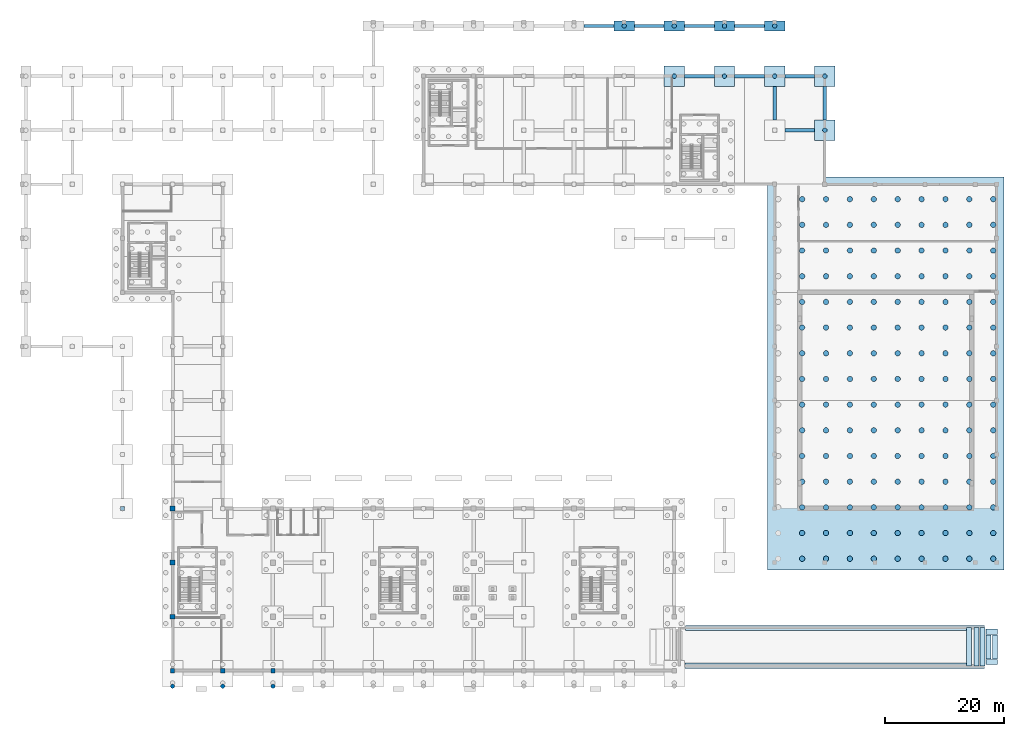
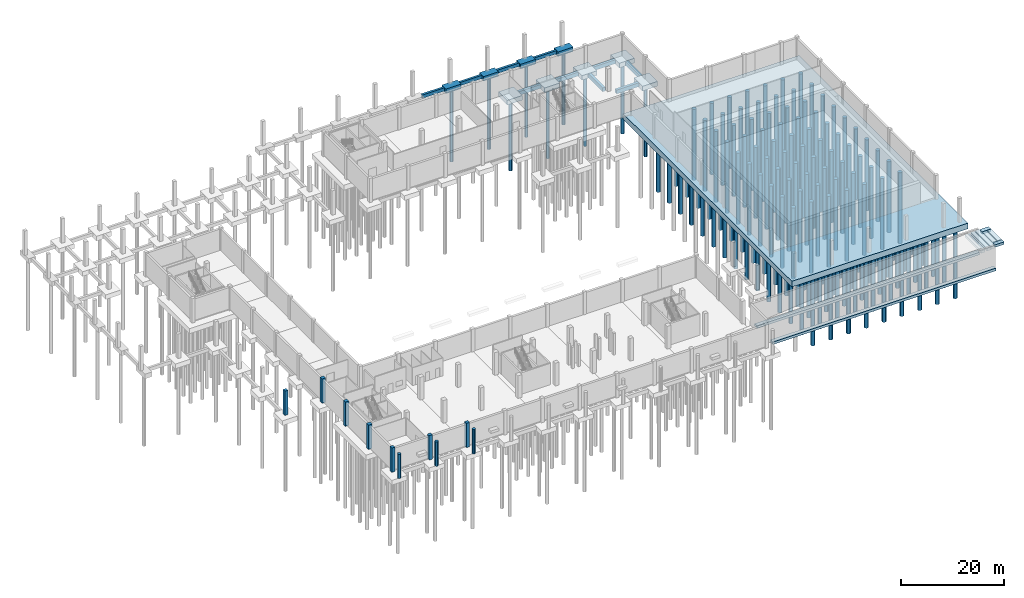
# One storey, part 4 of 18: 144 piles, 29 footings, 10 columns.
"""IFC4 building model written with IfcOpenShell, lengths in metres."""

from ifc_helpers import new_model, si_unit, direction, frame, origin, origin_2d, place, context, subcontext, project, spatial, rectangle, circle, extrude, material, layer, layer_set, material_profile, profile_set, type_object, element, save


model = new_model("IFC4")

# Units and contexts
model_context = context("Model", 3, precision=1e-05, world=origin(), true_north=direction((0.0, 1.0)))
body_context = subcontext(model_context, "Body", "Model", "MODEL_VIEW")
ifc_project = project(units=[si_unit("LENGTHUNIT", "METRE"), si_unit("AREAUNIT", "SQUARE_METRE"), si_unit("VOLUMEUNIT", "CUBIC_METRE"), si_unit("PLANEANGLEUNIT", "RADIAN"), si_unit("MASSUNIT", "GRAM", prefix="KILO")], contexts=[model_context])

# Site, building, storey
site_placement = place(None, origin())
site = spatial("IfcSite", under=ifc_project, at=site_placement, CompositionType="ELEMENT")
building_placement = place(site_placement, origin())
building = spatial("IfcBuilding", under=site, at=building_placement, Name="Khurvash Pelagic Aquarium", CompositionType="ELEMENT")
storey_placement = place(building_placement, frame((0.0, 0.0, -5.39990234375)))
storey = spatial("IfcBuildingStorey", under=building, at=storey_placement, Name="B1", CompositionType="ELEMENT", Elevation=-5.39990234375)

# Footings
ifc_material_1 = material(Name="Concrete C35/45", Category="concrete")
ifc_layer_1 = layer(ifc_material_1, 0.800048828125)
ifc_layer_set_1 = layer_set([ifc_layer_1], Name="Concrete C35/45")
footing_type_1 = type_object("IfcFootingType", Name="GB-01", PredefinedType="FOOTING_BEAM", material=ifc_layer_set_1)
for number, where, z_axis, x_axis, name in (
    (1, (96.60009765625, 110.550048828125, -1.2001953125), (0.0, 0.0, 1.0), (1.0, 0.0, 0.0), "Reinforced Concrete Ground Tie Beam GB-01 098"),
    (2, (105.0, 110.550048828125, -1.2001953125), (0.0, 0.0, 1.0), (1.0, 0.0, 0.0), "Reinforced Concrete Ground Tie Beam GB-01 099"),
    (3, (113.39990234375, 110.550048828125, -1.2001953125), (0.0, 0.0, 1.0), (1.0, 0.0, 0.0), "Reinforced Concrete Ground Tie Beam GB-01 100"),
    (4, (121.800048828125, 110.550048828125, -1.2001953125), (0.0, 0.0, 1.0), (1.0, 0.0, 0.0), "Reinforced Concrete Ground Tie Beam GB-01 101"),
):
    element("IfcFooting", number, at=place(storey_placement, frame(where, z_axis=z_axis, x_axis=x_axis)), inside=storey, type_object=footing_type_1, Name=name, PredefinedType="FOOTING_BEAM", context=body_context, shape_type="SweptSolid", body=[
        extrude(rectangle(XDim=4.99609375, YDim=0.5, at=origin_2d()), origin(), (0.0, 0.0, 1.0), 0.800048828125),
    ])
ifc_layer_2 = layer(ifc_material_1, 0.89990234375)
ifc_layer_set_2 = layer_set([ifc_layer_2], Name="Concrete C35/45")
footing_type_2 = type_object("IfcFootingType", Name="GB-02", PredefinedType="FOOTING_BEAM", material=ifc_layer_set_2)
for number, where, z_axis, x_axis, name in (
    (5, (130.199951171875, 93.10009765625, -1.300048828125), (0.0, 0.0, 1.0), (1.0, 0.0, 0.0), "Reinforced Concrete Ground Tie Beam GB-02 036"),
    (6, (113.39990234375, 102.14990234375, -1.300048828125), (0.0, 0.0, 1.0), (1.0, 0.0, 0.0), "Reinforced Concrete Ground Tie Beam GB-02 040"),
    (7, (121.800048828125, 102.14990234375, -1.300048828125), (0.0, 0.0, 1.0), (1.0, 0.0, 0.0), "Reinforced Concrete Ground Tie Beam GB-02 041"),
    (8, (130.199951171875, 102.14990234375, -1.300048828125), (0.0, 0.0, 1.0), (1.0, 0.0, 0.0), "Reinforced Concrete Ground Tie Beam GB-02 042"),
):
    element("IfcFooting", number, at=place(storey_placement, frame(where, z_axis=z_axis, x_axis=x_axis)), inside=storey, type_object=footing_type_2, Name=name, PredefinedType="FOOTING_BEAM", context=body_context, shape_type="SweptSolid", body=[
        extrude(rectangle(XDim=4.99609375, YDim=0.60009765625, at=origin_2d()), origin(), (0.0, 0.0, 1.0), 0.89990234375),
    ])
for number, where, z_axis, x_axis, name in (
    (9, (126.0, 97.625, -1.300048828125), (0.0, 0.0, 1.0), (0.0, 1.0, 0.0), "Reinforced Concrete Ground Tie Beam GB-02 073"),
    (10, (134.39990234375, 97.625, -1.300048828125), (0.0, 0.0, 1.0), (0.0, 1.0, 0.0), "Reinforced Concrete Ground Tie Beam GB-02 074"),
):
    element("IfcFooting", number, at=place(storey_placement, frame(where, z_axis=z_axis, x_axis=x_axis)), inside=storey, type_object=footing_type_2, Name=name, PredefinedType="FOOTING_BEAM", context=body_context, shape_type="SweptSolid", body=[
        extrude(rectangle(XDim=5.64599609375, YDim=0.60009765625, at=origin_2d()), origin(), (0.0, 0.0, 1.0), 0.89990234375),
    ])

# Piles
ifc_material_profile_1 = material_profile(ifc_material_1, circle(Radius=0.375, at=origin_2d()), Name="PILE750")
ifc_profile_set_1 = profile_set([ifc_material_profile_1], Name="Concrete C35/45")
pile_type_1 = type_object("IfcPileType", Name="P-750", PredefinedType="BORED", material=ifc_profile_set_1)
for number, where, z_axis, x_axis, name in (
    (11, (109.199951171875, 102.14990234375, -1.400146484375), (0.0, 0.0, -1.0), (1.0, 0.0, 0.0), "Bored Pile P-750 0402"),
    (12, (117.60009765625, 102.14990234375, -1.400146484375), (0.0, 0.0, -1.0), (1.0, 0.0, 0.0), "Bored Pile P-750 0403"),
    (13, (126.0, 102.14990234375, -1.400146484375), (0.0, 0.0, -1.0), (1.0, 0.0, 0.0), "Bored Pile P-750 0405"),
    (14, (134.39990234375, 93.10009765625, -1.400146484375), (0.0, 0.0, -1.0), (1.0, 0.0, 0.0), "Bored Pile P-750 0406"),
    (15, (134.39990234375, 102.14990234375, -1.400146484375), (0.0, 0.0, -1.0), (1.0, 0.0, 0.0), "Bored Pile P-750 0407"),
    (16, (100.800048828125, 110.550048828125, -1.400146484375), (0.0, 0.0, -1.0), (1.0, 0.0, 0.0), "Bored Pile P-750 0441"),
    (17, (109.199951171875, 110.550048828125, -1.400146484375), (0.0, 0.0, -1.0), (1.0, 0.0, 0.0), "Bored Pile P-750 0443"),
    (18, (117.60009765625, 110.550048828125, -1.400146484375), (0.0, 0.0, -1.0), (1.0, 0.0, 0.0), "Bored Pile P-750 0447"),
    (19, (126.0, 110.550048828125, -1.400146484375), (0.0, 0.0, -1.0), (1.0, 0.0, 0.0), "Bored Pile P-750 0448"),
):
    element("IfcPile", number, at=place(storey_placement, frame(where, z_axis=z_axis, x_axis=x_axis)), inside=storey, type_object=pile_type_1, Name=name, PredefinedType="BORED", context=body_context, shape_type="SweptSolid", body=[
        extrude(circle(Radius=0.375, at=origin_2d()), origin(), (0.0, 0.0, 1.0), 17.199951171875),
    ])
ifc_material_profile_2 = material_profile(ifc_material_1, circle(Radius=0.449951171875, at=origin_2d()), Name="PILE900")
ifc_profile_set_2 = profile_set([ifc_material_profile_2], Name="Concrete C35/45")
pile_type_2 = type_object("IfcPileType", Name="P-900", PredefinedType="BORED", material=ifc_profile_set_2)
for number, where, z_axis, x_axis, name in (
    (20, (130.60009765625, 21.35009765625, -1.650146484375), (0.0, 0.0, -1.0), (1.0, 0.0, 0.0), "Bored Pile P-900 0016"),
    (21, (130.60009765625, 25.64990234375, -1.650146484375), (0.0, 0.0, -1.0), (1.0, 0.0, 0.0), "Bored Pile P-900 0017"),
    (22, (130.60009765625, 29.949951171875, -1.650146484375), (0.0, 0.0, -1.0), (1.0, 0.0, 0.0), "Bored Pile P-900 0018"),
    (23, (130.60009765625, 34.25, -1.650146484375), (0.0, 0.0, -1.0), (1.0, 0.0, 0.0), "Bored Pile P-900 0019"),
    (24, (130.60009765625, 38.550048828125, -1.650146484375), (0.0, 0.0, -1.0), (1.0, 0.0, 0.0), "Bored Pile P-900 0020"),
    (25, (130.60009765625, 42.85009765625, -1.650146484375), (0.0, 0.0, -1.0), (1.0, 0.0, 0.0), "Bored Pile P-900 0021"),
    (26, (130.60009765625, 47.14990234375, -1.650146484375), (0.0, 0.0, -1.0), (1.0, 0.0, 0.0), "Bored Pile P-900 0022"),
    (27, (130.60009765625, 51.449951171875, -1.650146484375), (0.0, 0.0, -1.0), (1.0, 0.0, 0.0), "Bored Pile P-900 0023"),
    (28, (130.60009765625, 55.75, -1.650146484375), (0.0, 0.0, -1.0), (1.0, 0.0, 0.0), "Bored Pile P-900 0024"),
    (29, (130.60009765625, 60.050048828125, -1.650146484375), (0.0, 0.0, -1.0), (1.0, 0.0, 0.0), "Bored Pile P-900 0025"),
    (30, (130.60009765625, 64.35009765625, -1.650146484375), (0.0, 0.0, -1.0), (1.0, 0.0, 0.0), "Bored Pile P-900 0026"),
    (31, (130.60009765625, 68.64990234375, -1.650146484375), (0.0, 0.0, -1.0), (1.0, 0.0, 0.0), "Bored Pile P-900 0027"),
    (32, (130.60009765625, 72.949951171875, -1.650146484375), (0.0, 0.0, -1.0), (1.0, 0.0, 0.0), "Bored Pile P-900 0028"),
    (33, (130.60009765625, 77.25, -1.650146484375), (0.0, 0.0, -1.0), (1.0, 0.0, 0.0), "Bored Pile P-900 0029"),
    (34, (130.60009765625, 81.550048828125, -1.650146484375), (0.0, 0.0, -1.0), (1.0, 0.0, 0.0), "Bored Pile P-900 0030"),
    (35, (134.60009765625, 21.35009765625, -1.650146484375), (0.0, 0.0, -1.0), (1.0, 0.0, 0.0), "Bored Pile P-900 0031"),
    (36, (134.60009765625, 25.64990234375, -1.650146484375), (0.0, 0.0, -1.0), (1.0, 0.0, 0.0), "Bored Pile P-900 0032"),
    (37, (134.60009765625, 29.949951171875, -1.650146484375), (0.0, 0.0, -1.0), (1.0, 0.0, 0.0), "Bored Pile P-900 0033"),
    (38, (134.60009765625, 34.25, -1.650146484375), (0.0, 0.0, -1.0), (1.0, 0.0, 0.0), "Bored Pile P-900 0034"),
    (39, (134.60009765625, 38.550048828125, -1.650146484375), (0.0, 0.0, -1.0), (1.0, 0.0, 0.0), "Bored Pile P-900 0035"),
    (40, (134.60009765625, 42.85009765625, -1.650146484375), (0.0, 0.0, -1.0), (1.0, 0.0, 0.0), "Bored Pile P-900 0036"),
    (41, (134.60009765625, 47.14990234375, -1.650146484375), (0.0, 0.0, -1.0), (1.0, 0.0, 0.0), "Bored Pile P-900 0037"),
    (42, (134.60009765625, 51.449951171875, -1.650146484375), (0.0, 0.0, -1.0), (1.0, 0.0, 0.0), "Bored Pile P-900 0038"),
    (43, (134.60009765625, 55.75, -1.650146484375), (0.0, 0.0, -1.0), (1.0, 0.0, 0.0), "Bored Pile P-900 0039"),
    (44, (134.60009765625, 60.050048828125, -1.650146484375), (0.0, 0.0, -1.0), (1.0, 0.0, 0.0), "Bored Pile P-900 0040"),
    (45, (134.60009765625, 64.35009765625, -1.650146484375), (0.0, 0.0, -1.0), (1.0, 0.0, 0.0), "Bored Pile P-900 0041"),
    (46, (134.60009765625, 68.64990234375, -1.650146484375), (0.0, 0.0, -1.0), (1.0, 0.0, 0.0), "Bored Pile P-900 0042"),
    (47, (134.60009765625, 72.949951171875, -1.650146484375), (0.0, 0.0, -1.0), (1.0, 0.0, 0.0), "Bored Pile P-900 0043"),
    (48, (134.60009765625, 77.25, -1.650146484375), (0.0, 0.0, -1.0), (1.0, 0.0, 0.0), "Bored Pile P-900 0044"),
    (49, (134.60009765625, 81.550048828125, -1.650146484375), (0.0, 0.0, -1.0), (1.0, 0.0, 0.0), "Bored Pile P-900 0045"),
    (50, (138.60009765625, 21.35009765625, -1.650146484375), (0.0, 0.0, -1.0), (1.0, 0.0, 0.0), "Bored Pile P-900 0046"),
    (51, (138.60009765625, 25.64990234375, -1.650146484375), (0.0, 0.0, -1.0), (1.0, 0.0, 0.0), "Bored Pile P-900 0047"),
    (52, (138.60009765625, 29.949951171875, -1.650146484375), (0.0, 0.0, -1.0), (1.0, 0.0, 0.0), "Bored Pile P-900 0048"),
    (53, (138.60009765625, 34.25, -1.650146484375), (0.0, 0.0, -1.0), (1.0, 0.0, 0.0), "Bored Pile P-900 0049"),
    (54, (138.60009765625, 38.550048828125, -1.650146484375), (0.0, 0.0, -1.0), (1.0, 0.0, 0.0), "Bored Pile P-900 0050"),
    (55, (138.60009765625, 42.85009765625, -1.650146484375), (0.0, 0.0, -1.0), (1.0, 0.0, 0.0), "Bored Pile P-900 0051"),
    (56, (138.60009765625, 47.14990234375, -1.650146484375), (0.0, 0.0, -1.0), (1.0, 0.0, 0.0), "Bored Pile P-900 0052"),
    (57, (138.60009765625, 51.449951171875, -1.650146484375), (0.0, 0.0, -1.0), (1.0, 0.0, 0.0), "Bored Pile P-900 0053"),
    (58, (138.60009765625, 55.75, -1.650146484375), (0.0, 0.0, -1.0), (1.0, 0.0, 0.0), "Bored Pile P-900 0054"),
    (59, (138.60009765625, 60.050048828125, -1.650146484375), (0.0, 0.0, -1.0), (1.0, 0.0, 0.0), "Bored Pile P-900 0055"),
    (60, (138.60009765625, 64.35009765625, -1.650146484375), (0.0, 0.0, -1.0), (1.0, 0.0, 0.0), "Bored Pile P-900 0056"),
    (61, (138.60009765625, 68.64990234375, -1.650146484375), (0.0, 0.0, -1.0), (1.0, 0.0, 0.0), "Bored Pile P-900 0057"),
    (62, (138.60009765625, 72.949951171875, -1.650146484375), (0.0, 0.0, -1.0), (1.0, 0.0, 0.0), "Bored Pile P-900 0058"),
    (63, (138.60009765625, 77.25, -1.650146484375), (0.0, 0.0, -1.0), (1.0, 0.0, 0.0), "Bored Pile P-900 0059"),
    (64, (138.60009765625, 81.550048828125, -1.650146484375), (0.0, 0.0, -1.0), (1.0, 0.0, 0.0), "Bored Pile P-900 0060"),
    (65, (142.60009765625, 21.35009765625, -1.650146484375), (0.0, 0.0, -1.0), (1.0, 0.0, 0.0), "Bored Pile P-900 0061"),
    (66, (142.60009765625, 25.64990234375, -1.650146484375), (0.0, 0.0, -1.0), (1.0, 0.0, 0.0), "Bored Pile P-900 0062"),
    (67, (142.60009765625, 29.949951171875, -1.650146484375), (0.0, 0.0, -1.0), (1.0, 0.0, 0.0), "Bored Pile P-900 0063"),
    (68, (142.60009765625, 34.25, -1.650146484375), (0.0, 0.0, -1.0), (1.0, 0.0, 0.0), "Bored Pile P-900 0064"),
    (69, (142.60009765625, 38.550048828125, -1.650146484375), (0.0, 0.0, -1.0), (1.0, 0.0, 0.0), "Bored Pile P-900 0065"),
    (70, (142.60009765625, 42.85009765625, -1.650146484375), (0.0, 0.0, -1.0), (1.0, 0.0, 0.0), "Bored Pile P-900 0066"),
    (71, (142.60009765625, 47.14990234375, -1.650146484375), (0.0, 0.0, -1.0), (1.0, 0.0, 0.0), "Bored Pile P-900 0067"),
    (72, (142.60009765625, 51.449951171875, -1.650146484375), (0.0, 0.0, -1.0), (1.0, 0.0, 0.0), "Bored Pile P-900 0068"),
    (73, (142.60009765625, 55.75, -1.650146484375), (0.0, 0.0, -1.0), (1.0, 0.0, 0.0), "Bored Pile P-900 0069"),
    (74, (142.60009765625, 60.050048828125, -1.650146484375), (0.0, 0.0, -1.0), (1.0, 0.0, 0.0), "Bored Pile P-900 0070"),
    (75, (142.60009765625, 64.35009765625, -1.650146484375), (0.0, 0.0, -1.0), (1.0, 0.0, 0.0), "Bored Pile P-900 0071"),
    (76, (142.60009765625, 68.64990234375, -1.650146484375), (0.0, 0.0, -1.0), (1.0, 0.0, 0.0), "Bored Pile P-900 0072"),
    (77, (142.60009765625, 72.949951171875, -1.650146484375), (0.0, 0.0, -1.0), (1.0, 0.0, 0.0), "Bored Pile P-900 0073"),
    (78, (142.60009765625, 77.25, -1.650146484375), (0.0, 0.0, -1.0), (1.0, 0.0, 0.0), "Bored Pile P-900 0074"),
    (79, (142.60009765625, 81.550048828125, -1.650146484375), (0.0, 0.0, -1.0), (1.0, 0.0, 0.0), "Bored Pile P-900 0075"),
    (80, (146.60009765625, 21.35009765625, -1.650146484375), (0.0, 0.0, -1.0), (1.0, 0.0, 0.0), "Bored Pile P-900 0076"),
    (81, (146.60009765625, 25.64990234375, -1.650146484375), (0.0, 0.0, -1.0), (1.0, 0.0, 0.0), "Bored Pile P-900 0077"),
    (82, (146.60009765625, 29.949951171875, -1.650146484375), (0.0, 0.0, -1.0), (1.0, 0.0, 0.0), "Bored Pile P-900 0078"),
    (83, (146.60009765625, 34.25, -1.650146484375), (0.0, 0.0, -1.0), (1.0, 0.0, 0.0), "Bored Pile P-900 0079"),
    (84, (146.60009765625, 38.550048828125, -1.650146484375), (0.0, 0.0, -1.0), (1.0, 0.0, 0.0), "Bored Pile P-900 0080"),
    (85, (146.60009765625, 42.85009765625, -1.650146484375), (0.0, 0.0, -1.0), (1.0, 0.0, 0.0), "Bored Pile P-900 0081"),
    (86, (146.60009765625, 47.14990234375, -1.650146484375), (0.0, 0.0, -1.0), (1.0, 0.0, 0.0), "Bored Pile P-900 0082"),
    (87, (146.60009765625, 51.449951171875, -1.650146484375), (0.0, 0.0, -1.0), (1.0, 0.0, 0.0), "Bored Pile P-900 0083"),
    (88, (146.60009765625, 55.75, -1.650146484375), (0.0, 0.0, -1.0), (1.0, 0.0, 0.0), "Bored Pile P-900 0084"),
    (89, (146.60009765625, 60.050048828125, -1.650146484375), (0.0, 0.0, -1.0), (1.0, 0.0, 0.0), "Bored Pile P-900 0085"),
    (90, (146.60009765625, 64.35009765625, -1.650146484375), (0.0, 0.0, -1.0), (1.0, 0.0, 0.0), "Bored Pile P-900 0086"),
    (91, (146.60009765625, 68.64990234375, -1.650146484375), (0.0, 0.0, -1.0), (1.0, 0.0, 0.0), "Bored Pile P-900 0087"),
    (92, (146.60009765625, 72.949951171875, -1.650146484375), (0.0, 0.0, -1.0), (1.0, 0.0, 0.0), "Bored Pile P-900 0088"),
    (93, (146.60009765625, 77.25, -1.650146484375), (0.0, 0.0, -1.0), (1.0, 0.0, 0.0), "Bored Pile P-900 0089"),
    (94, (146.60009765625, 81.550048828125, -1.650146484375), (0.0, 0.0, -1.0), (1.0, 0.0, 0.0), "Bored Pile P-900 0090"),
    (95, (150.60009765625, 21.35009765625, -1.650146484375), (0.0, 0.0, -1.0), (1.0, 0.0, 0.0), "Bored Pile P-900 0091"),
    (96, (150.60009765625, 25.64990234375, -1.650146484375), (0.0, 0.0, -1.0), (1.0, 0.0, 0.0), "Bored Pile P-900 0092"),
    (97, (150.60009765625, 29.949951171875, -1.650146484375), (0.0, 0.0, -1.0), (1.0, 0.0, 0.0), "Bored Pile P-900 0093"),
    (98, (150.60009765625, 34.25, -1.650146484375), (0.0, 0.0, -1.0), (1.0, 0.0, 0.0), "Bored Pile P-900 0094"),
    (99, (150.60009765625, 38.550048828125, -1.650146484375), (0.0, 0.0, -1.0), (1.0, 0.0, 0.0), "Bored Pile P-900 0095"),
    (100, (150.60009765625, 42.85009765625, -1.650146484375), (0.0, 0.0, -1.0), (1.0, 0.0, 0.0), "Bored Pile P-900 0096"),
    (101, (150.60009765625, 47.14990234375, -1.650146484375), (0.0, 0.0, -1.0), (1.0, 0.0, 0.0), "Bored Pile P-900 0097"),
    (102, (150.60009765625, 51.449951171875, -1.650146484375), (0.0, 0.0, -1.0), (1.0, 0.0, 0.0), "Bored Pile P-900 0098"),
    (103, (150.60009765625, 55.75, -1.650146484375), (0.0, 0.0, -1.0), (1.0, 0.0, 0.0), "Bored Pile P-900 0099"),
    (104, (150.60009765625, 60.050048828125, -1.650146484375), (0.0, 0.0, -1.0), (1.0, 0.0, 0.0), "Bored Pile P-900 0100"),
    (105, (150.60009765625, 64.35009765625, -1.650146484375), (0.0, 0.0, -1.0), (1.0, 0.0, 0.0), "Bored Pile P-900 0101"),
    (106, (150.60009765625, 68.64990234375, -1.650146484375), (0.0, 0.0, -1.0), (1.0, 0.0, 0.0), "Bored Pile P-900 0102"),
    (107, (150.60009765625, 72.949951171875, -1.650146484375), (0.0, 0.0, -1.0), (1.0, 0.0, 0.0), "Bored Pile P-900 0103"),
    (108, (150.60009765625, 77.25, -1.650146484375), (0.0, 0.0, -1.0), (1.0, 0.0, 0.0), "Bored Pile P-900 0104"),
    (109, (150.60009765625, 81.550048828125, -1.650146484375), (0.0, 0.0, -1.0), (1.0, 0.0, 0.0), "Bored Pile P-900 0105"),
    (110, (154.60009765625, 21.35009765625, -1.650146484375), (0.0, 0.0, -1.0), (1.0, 0.0, 0.0), "Bored Pile P-900 0106"),
    (111, (154.60009765625, 25.64990234375, -1.650146484375), (0.0, 0.0, -1.0), (1.0, 0.0, 0.0), "Bored Pile P-900 0107"),
    (112, (154.60009765625, 29.949951171875, -1.650146484375), (0.0, 0.0, -1.0), (1.0, 0.0, 0.0), "Bored Pile P-900 0108"),
    (113, (154.60009765625, 34.25, -1.650146484375), (0.0, 0.0, -1.0), (1.0, 0.0, 0.0), "Bored Pile P-900 0109"),
    (114, (154.60009765625, 38.550048828125, -1.650146484375), (0.0, 0.0, -1.0), (1.0, 0.0, 0.0), "Bored Pile P-900 0110"),
    (115, (154.60009765625, 42.85009765625, -1.650146484375), (0.0, 0.0, -1.0), (1.0, 0.0, 0.0), "Bored Pile P-900 0111"),
    (116, (154.60009765625, 47.14990234375, -1.650146484375), (0.0, 0.0, -1.0), (1.0, 0.0, 0.0), "Bored Pile P-900 0112"),
    (117, (154.60009765625, 51.449951171875, -1.650146484375), (0.0, 0.0, -1.0), (1.0, 0.0, 0.0), "Bored Pile P-900 0113"),
    (118, (154.60009765625, 55.75, -1.650146484375), (0.0, 0.0, -1.0), (1.0, 0.0, 0.0), "Bored Pile P-900 0114"),
    (119, (154.60009765625, 60.050048828125, -1.650146484375), (0.0, 0.0, -1.0), (1.0, 0.0, 0.0), "Bored Pile P-900 0115"),
    (120, (154.60009765625, 64.35009765625, -1.650146484375), (0.0, 0.0, -1.0), (1.0, 0.0, 0.0), "Bored Pile P-900 0116"),
    (121, (154.60009765625, 68.64990234375, -1.650146484375), (0.0, 0.0, -1.0), (1.0, 0.0, 0.0), "Bored Pile P-900 0117"),
    (122, (154.60009765625, 72.949951171875, -1.650146484375), (0.0, 0.0, -1.0), (1.0, 0.0, 0.0), "Bored Pile P-900 0118"),
    (123, (154.60009765625, 77.25, -1.650146484375), (0.0, 0.0, -1.0), (1.0, 0.0, 0.0), "Bored Pile P-900 0119"),
    (124, (154.60009765625, 81.550048828125, -1.650146484375), (0.0, 0.0, -1.0), (1.0, 0.0, 0.0), "Bored Pile P-900 0120"),
    (125, (158.60009765625, 21.35009765625, -1.650146484375), (0.0, 0.0, -1.0), (1.0, 0.0, 0.0), "Bored Pile P-900 0121"),
    (126, (158.60009765625, 25.64990234375, -1.650146484375), (0.0, 0.0, -1.0), (1.0, 0.0, 0.0), "Bored Pile P-900 0122"),
    (127, (158.60009765625, 29.949951171875, -1.650146484375), (0.0, 0.0, -1.0), (1.0, 0.0, 0.0), "Bored Pile P-900 0123"),
    (128, (158.60009765625, 34.25, -1.650146484375), (0.0, 0.0, -1.0), (1.0, 0.0, 0.0), "Bored Pile P-900 0124"),
    (129, (158.60009765625, 38.550048828125, -1.650146484375), (0.0, 0.0, -1.0), (1.0, 0.0, 0.0), "Bored Pile P-900 0125"),
    (130, (158.60009765625, 42.85009765625, -1.650146484375), (0.0, 0.0, -1.0), (1.0, 0.0, 0.0), "Bored Pile P-900 0126"),
    (131, (158.60009765625, 47.14990234375, -1.650146484375), (0.0, 0.0, -1.0), (1.0, 0.0, 0.0), "Bored Pile P-900 0127"),
    (132, (158.60009765625, 51.449951171875, -1.650146484375), (0.0, 0.0, -1.0), (1.0, 0.0, 0.0), "Bored Pile P-900 0128"),
    (133, (158.60009765625, 55.75, -1.650146484375), (0.0, 0.0, -1.0), (1.0, 0.0, 0.0), "Bored Pile P-900 0129"),
    (134, (158.60009765625, 60.050048828125, -1.650146484375), (0.0, 0.0, -1.0), (1.0, 0.0, 0.0), "Bored Pile P-900 0130"),
    (135, (158.60009765625, 64.35009765625, -1.650146484375), (0.0, 0.0, -1.0), (1.0, 0.0, 0.0), "Bored Pile P-900 0131"),
    (136, (158.60009765625, 68.64990234375, -1.650146484375), (0.0, 0.0, -1.0), (1.0, 0.0, 0.0), "Bored Pile P-900 0132"),
    (137, (158.60009765625, 72.949951171875, -1.650146484375), (0.0, 0.0, -1.0), (1.0, 0.0, 0.0), "Bored Pile P-900 0133"),
    (138, (158.60009765625, 77.25, -1.650146484375), (0.0, 0.0, -1.0), (1.0, 0.0, 0.0), "Bored Pile P-900 0134"),
    (139, (158.60009765625, 81.550048828125, -1.650146484375), (0.0, 0.0, -1.0), (1.0, 0.0, 0.0), "Bored Pile P-900 0135"),
    (140, (162.60009765625, 21.35009765625, -1.650146484375), (0.0, 0.0, -1.0), (1.0, 0.0, 0.0), "Bored Pile P-900 0136"),
    (141, (162.60009765625, 25.64990234375, -1.650146484375), (0.0, 0.0, -1.0), (1.0, 0.0, 0.0), "Bored Pile P-900 0137"),
    (142, (162.60009765625, 29.949951171875, -1.650146484375), (0.0, 0.0, -1.0), (1.0, 0.0, 0.0), "Bored Pile P-900 0138"),
    (143, (162.60009765625, 34.25, -1.650146484375), (0.0, 0.0, -1.0), (1.0, 0.0, 0.0), "Bored Pile P-900 0139"),
    (144, (162.60009765625, 38.550048828125, -1.650146484375), (0.0, 0.0, -1.0), (1.0, 0.0, 0.0), "Bored Pile P-900 0140"),
    (145, (162.60009765625, 42.85009765625, -1.650146484375), (0.0, 0.0, -1.0), (1.0, 0.0, 0.0), "Bored Pile P-900 0141"),
    (146, (162.60009765625, 47.14990234375, -1.650146484375), (0.0, 0.0, -1.0), (1.0, 0.0, 0.0), "Bored Pile P-900 0142"),
    (147, (162.60009765625, 51.449951171875, -1.650146484375), (0.0, 0.0, -1.0), (1.0, 0.0, 0.0), "Bored Pile P-900 0143"),
    (148, (162.60009765625, 55.75, -1.650146484375), (0.0, 0.0, -1.0), (1.0, 0.0, 0.0), "Bored Pile P-900 0144"),
    (149, (162.60009765625, 60.050048828125, -1.650146484375), (0.0, 0.0, -1.0), (1.0, 0.0, 0.0), "Bored Pile P-900 0145"),
    (150, (162.60009765625, 64.35009765625, -1.650146484375), (0.0, 0.0, -1.0), (1.0, 0.0, 0.0), "Bored Pile P-900 0146"),
    (151, (162.60009765625, 68.64990234375, -1.650146484375), (0.0, 0.0, -1.0), (1.0, 0.0, 0.0), "Bored Pile P-900 0147"),
    (152, (162.60009765625, 72.949951171875, -1.650146484375), (0.0, 0.0, -1.0), (1.0, 0.0, 0.0), "Bored Pile P-900 0148"),
    (153, (162.60009765625, 77.25, -1.650146484375), (0.0, 0.0, -1.0), (1.0, 0.0, 0.0), "Bored Pile P-900 0149"),
    (154, (162.60009765625, 81.550048828125, -1.650146484375), (0.0, 0.0, -1.0), (1.0, 0.0, 0.0), "Bored Pile P-900 0150"),
):
    element("IfcPile", number, at=place(storey_placement, frame(where, z_axis=z_axis, x_axis=x_axis)), inside=storey, type_object=pile_type_2, Name=name, PredefinedType="BORED", context=body_context, shape_type="SweptSolid", body=[
        extrude(circle(Radius=0.449951171875, at=origin_2d()), origin(), (0.0, 0.0, 1.0), 16.949951171875),
    ])

# Footings
ifc_layer_3 = layer(ifc_material_1, 1.10009765625)
ifc_layer_set_3 = layer_set([ifc_layer_3], Name="Concrete C35/45")
footing_type_3 = type_object("IfcFootingType", Name="PC-03", PredefinedType="PILE_CAP", material=ifc_layer_set_3)
for number, where, z_axis, x_axis, name in (
    (155, (109.199951171875, 102.14990234375, -1.500244140625), (0.0, 0.0, 1.0), (1.0, 0.0, 0.0), "Reinforced Concrete Pile Cap PC-03 061"),
    (156, (117.60009765625, 102.14990234375, -1.500244140625), (0.0, 0.0, 1.0), (1.0, 0.0, 0.0), "Reinforced Concrete Pile Cap PC-03 062"),
    (157, (126.0, 102.14990234375, -1.500244140625), (0.0, 0.0, 1.0), (1.0, 0.0, 0.0), "Reinforced Concrete Pile Cap PC-03 064"),
    (158, (134.39990234375, 93.10009765625, -1.500244140625), (0.0, 0.0, 1.0), (1.0, 0.0, 0.0), "Reinforced Concrete Pile Cap PC-03 065"),
    (159, (134.39990234375, 102.14990234375, -1.500244140625), (0.0, 0.0, 1.0), (1.0, 0.0, 0.0), "Reinforced Concrete Pile Cap PC-03 066"),
):
    element("IfcFooting", number, at=place(storey_placement, frame(where, z_axis=z_axis, x_axis=x_axis)), inside=storey, type_object=footing_type_3, Name=name, PredefinedType="PILE_CAP", context=body_context, shape_type="SweptSolid", body=[
        extrude(rectangle(XDim=3.39990234375, YDim=3.39990234375, at=origin_2d()), origin(), (0.0, 0.0, 1.0), 1.10009765625),
    ])
ifc_layer_4 = layer(ifc_material_1, 1.10009765625)
ifc_layer_set_4 = layer_set([ifc_layer_4], Name="Concrete C35/45")
footing_type_4 = type_object("IfcFootingType", Name="PC-07", PredefinedType="PILE_CAP", material=ifc_layer_set_4)
for number, where, z_axis, x_axis, name in (
    (160, (100.800048828125, 110.550048828125, -1.500244140625), (0.0, 0.0, 1.0), (1.0, 0.0, 0.0), "Reinforced Concrete Pile Cap PC-07 100"),
    (161, (109.199951171875, 110.550048828125, -1.500244140625), (0.0, 0.0, 1.0), (1.0, 0.0, 0.0), "Reinforced Concrete Pile Cap PC-07 102"),
    (162, (117.60009765625, 110.550048828125, -1.500244140625), (0.0, 0.0, 1.0), (1.0, 0.0, 0.0), "Reinforced Concrete Pile Cap PC-07 106"),
    (163, (126.0, 110.550048828125, -1.500244140625), (0.0, 0.0, 1.0), (1.0, 0.0, 0.0), "Reinforced Concrete Pile Cap PC-07 107"),
):
    element("IfcFooting", number, at=place(storey_placement, frame(where, z_axis=z_axis, x_axis=x_axis)), inside=storey, type_object=footing_type_4, Name=name, PredefinedType="PILE_CAP", context=body_context, shape_type="SweptSolid", body=[
        extrude(rectangle(XDim=3.39990234375, YDim=1.60009765625, at=origin_2d()), origin(), (0.0, 0.0, 1.0), 1.10009765625),
    ])
ifc_material_2 = material(Name="Water-retaining concrete C40/50", Category="concrete")
ifc_layer_5 = layer(ifc_material_2, 1.35009765625)
ifc_layer_set_5 = layer_set([ifc_layer_5], Name="Water-retaining concrete C40/50")
footing_type_5 = type_object("IfcFootingType", Name="RAFT-01", PredefinedType="PILE_CAP", material=ifc_layer_set_5)
footing_1_placement = place(storey_placement, frame((144.60009765625, 52.375, -1.750244140625), z_axis=(0.0, 0.0, 1.0), x_axis=(1.0, 0.0, 0.0)))
element("IfcFooting", 164, at=footing_1_placement, inside=storey, type_object=footing_type_5, Name="Ocean Tank and LSS Waterproofed Piled-Raft Mat RAFT-01", PredefinedType="PILE_CAP", context=body_context, shape_type="SweptSolid", body=[
    extrude(rectangle(XDim=39.60009765625, YDim=65.75, at=origin_2d()), origin(), (0.0, 0.0, 1.0), 1.35009765625),
])
ifc_layer_6 = layer(ifc_material_1, 0.60009765625)
ifc_layer_set_6 = layer_set([ifc_layer_6], Name="Concrete C35/45")
footing_type_6 = type_object("IfcFootingType", Name="SF-01", PredefinedType="STRIP_FOOTING", material=ifc_layer_set_6)
footing_2_placement = place(storey_placement, frame((136.054931640625, 3.449951171875, -0.60009765625), z_axis=(0.0, 0.0, 1.0), x_axis=(1.0, 0.0, 0.0)))
element("IfcFooting", 165, at=footing_2_placement, inside=storey, type_object=footing_type_6, Name="B1 Ramp Retaining Wall Strip Footing SF-01", PredefinedType="STRIP_FOOTING", context=body_context, shape_type="SweptSolid", body=[
    extrude(rectangle(XDim=50.18994140625, YDim=0.89990234375, at=origin_2d()), origin(), (0.0, 0.0, 1.0), 0.60009765625),
])
footing_3_placement = place(storey_placement, frame((136.10498046875, 9.75, -0.60009765625), z_axis=(0.0, 0.0, 1.0), x_axis=(1.0, 0.0, 0.0)))
element("IfcFooting", 166, at=footing_3_placement, inside=storey, type_object=footing_type_6, Name="B1 Ramp Retaining Wall Strip Footing SF-01", PredefinedType="STRIP_FOOTING", context=body_context, shape_type="SweptSolid", body=[
    extrude(rectangle(XDim=50.090087890625, YDim=0.89990234375, at=origin_2d()), origin(), (0.0, 0.0, 1.0), 0.60009765625),
])
for number, where, z_axis, x_axis, name in (
    (167, (158.550048828125, 6.60009765625, 4.374755859375), (0.0, 0.0, 1.0), (0.0, 1.0, 0.0), "Car Park Ramp Transverse Sleeper Footing SF-01"),
    (168, (159.800048828125, 6.60009765625, 4.454833984375), (0.0, 0.0, 1.0), (0.0, 1.0, 0.0), "Car Park Ramp Transverse Sleeper Footing SF-01"),
    (169, (160.800048828125, 6.60009765625, 4.519775390625), (0.0, 0.0, 1.0), (0.0, 1.0, 0.0), "Car Park Ramp Transverse Sleeper Footing SF-01"),
):
    element("IfcFooting", number, at=place(storey_placement, frame(where, z_axis=z_axis, x_axis=x_axis)), inside=storey, type_object=footing_type_6, Name=name, PredefinedType="STRIP_FOOTING", context=body_context, shape_type="SweptSolid", body=[
        extrude(rectangle(XDim=6.39990234375, YDim=0.89990234375, at=origin_2d()), origin(), (0.0, 0.0, 1.0), 0.60009765625),
    ])
for number, where, z_axis, x_axis, name in (
    (170, (161.81005859375, 6.60009765625, 4.52978515625), (0.0, 0.0, 1.0), (0.0, 1.0, 0.0), "Car Park Ramp Transverse Sleeper Footing SF-01"),
    (171, (162.889892578125, 6.60009765625, 4.52978515625), (0.0, 0.0, 1.0), (0.0, 1.0, 0.0), "Car Park Ramp Transverse Sleeper Footing SF-01"),
):
    element("IfcFooting", number, at=place(storey_placement, frame(where, z_axis=z_axis, x_axis=x_axis)), inside=storey, type_object=footing_type_6, Name=name, PredefinedType="STRIP_FOOTING", context=body_context, shape_type="SweptSolid", body=[
        extrude(rectangle(XDim=4.0400390625, YDim=0.89990234375, at=origin_2d()), origin(), (0.0, 0.0, 1.0), 0.60009765625),
    ])
for number, where, z_axis, x_axis, name in (
    (172, (162.35009765625, 4.050048828125, 4.52978515625), (0.0, 0.0, 1.0), (1.0, 0.0, 0.0), "Ramp Apron Side Sleeper Footing SF-01"),
    (173, (162.35009765625, 9.14990234375, 4.52978515625), (0.0, 0.0, 1.0), (1.0, 0.0, 0.0), "Ramp Apron Side Sleeper Footing SF-01"),
):
    element("IfcFooting", number, at=place(storey_placement, frame(where, z_axis=z_axis, x_axis=x_axis)), inside=storey, type_object=footing_type_6, Name=name, PredefinedType="STRIP_FOOTING", context=body_context, shape_type="SweptSolid", body=[
        extrude(rectangle(XDim=1.97998046875, YDim=0.89990234375, at=origin_2d()), origin(), (0.0, 0.0, 1.0), 0.60009765625),
    ])

# Columns
ifc_material_3 = material(Name="Concrete C40/50", Category="concrete")
ifc_material_profile_3 = material_profile(ifc_material_3, rectangle(XDim=0.800048828125, YDim=0.800048828125, at=origin_2d()), Name="RC800X800")
ifc_profile_set_3 = profile_set([ifc_material_profile_3], Name="Concrete C40/50")
column_type_1 = type_object("IfcColumnType", Name="C-06", PredefinedType="COLUMN", material=ifc_profile_set_3)
for number, where, z_axis, x_axis, name in (
    (174, (25.199951171875, 11.64990234375, -0.400146484375), (0.0, 0.0, 1.0), (1.0, 0.0, 0.0), "B1 Column C-06 at 4/C"),
    (175, (25.199951171875, 20.699951171875, -0.400146484375), (0.0, 0.0, 1.0), (1.0, 0.0, 0.0), "B1 Column C-06 at 4/D"),
    (176, (25.199951171875, 29.75, -0.400146484375), (0.0, 0.0, 1.0), (1.0, 0.0, 0.0), "B1 Column C-06 at 4/E"),
):
    element("IfcColumn", number, at=place(storey_placement, frame(where, z_axis=z_axis, x_axis=x_axis)), inside=storey, type_object=column_type_1, Name=name, PredefinedType="COLUMN", context=body_context, shape_type="SweptSolid", body=[
        extrude(rectangle(XDim=0.800048828125, YDim=0.800048828125, at=origin_2d()), origin(), (0.0, 0.0, 1.0), 5.800048828125),
    ])
ifc_material_profile_4 = material_profile(ifc_material_3, rectangle(XDim=0.699951171875, YDim=0.699951171875, at=origin_2d()), Name="RC700X700")
ifc_profile_set_4 = profile_set([ifc_material_profile_4], Name="Concrete C40/50")
column_type_2 = type_object("IfcColumnType", Name="C-07", PredefinedType="COLUMN", material=ifc_profile_set_4)
for number, where, z_axis, x_axis, name in (
    (177, (25.199951171875, 2.60009765625, -0.400146484375), (0.0, 0.0, 1.0), (1.0, 0.0, 0.0), "B1 Column C-07 at 4/B"),
    (178, (33.60009765625, 2.60009765625, -0.400146484375), (0.0, 0.0, 1.0), (1.0, 0.0, 0.0), "B1 Column C-07 at 5/B"),
    (179, (42.0, 2.60009765625, -0.400146484375), (0.0, 0.0, 1.0), (1.0, 0.0, 0.0), "B1 Column C-07 at 6/B"),
    (180, (16.800048828125, 29.75, -0.400146484375), (0.0, 0.0, 1.0), (1.0, 0.0, 0.0), "B1 Sub-Grade Pier Column C-07 at 3/E"),
):
    element("IfcColumn", number, at=place(storey_placement, frame(where, z_axis=z_axis, x_axis=x_axis)), inside=storey, type_object=column_type_2, Name=name, PredefinedType="COLUMN", context=body_context, shape_type="SweptSolid", body=[
        extrude(rectangle(XDim=0.699951171875, YDim=0.699951171875, at=origin_2d()), origin(), (0.0, 0.0, 1.0), 5.800048828125),
    ])
ifc_material_profile_5 = material_profile(ifc_material_3, circle(Radius=0.35009765625, at=origin_2d()), Name="RC700D")
ifc_profile_set_5 = profile_set([ifc_material_profile_5], Name="Concrete C40/50")
column_type_3 = type_object("IfcColumnType", Name="C-09", PredefinedType="COLUMN", material=ifc_profile_set_5)
for number, where, z_axis, x_axis, name in (
    (181, (25.199951171875, 0.0, -0.400146484375), (0.0, 0.0, 1.0), (1.0, 0.0, 0.0), "B1 Sub-Grade Pier Column C-09 at 4/A"),
    (182, (33.60009765625, 0.0, -0.400146484375), (0.0, 0.0, 1.0), (1.0, 0.0, 0.0), "B1 Sub-Grade Pier Column C-09 at 5/A"),
    (183, (42.0, 0.0, -0.400146484375), (0.0, 0.0, 1.0), (1.0, 0.0, 0.0), "B1 Sub-Grade Pier Column C-09 at 6/A"),
):
    element("IfcColumn", number, at=place(storey_placement, frame(where, z_axis=z_axis, x_axis=x_axis)), inside=storey, type_object=column_type_3, Name=name, PredefinedType="COLUMN", context=body_context, shape_type="SweptSolid", body=[
        extrude(circle(Radius=0.35009765625, at=origin_2d()), origin(), (0.0, 0.0, 1.0), 5.800048828125),
    ])

save(model, "model.ifc")
